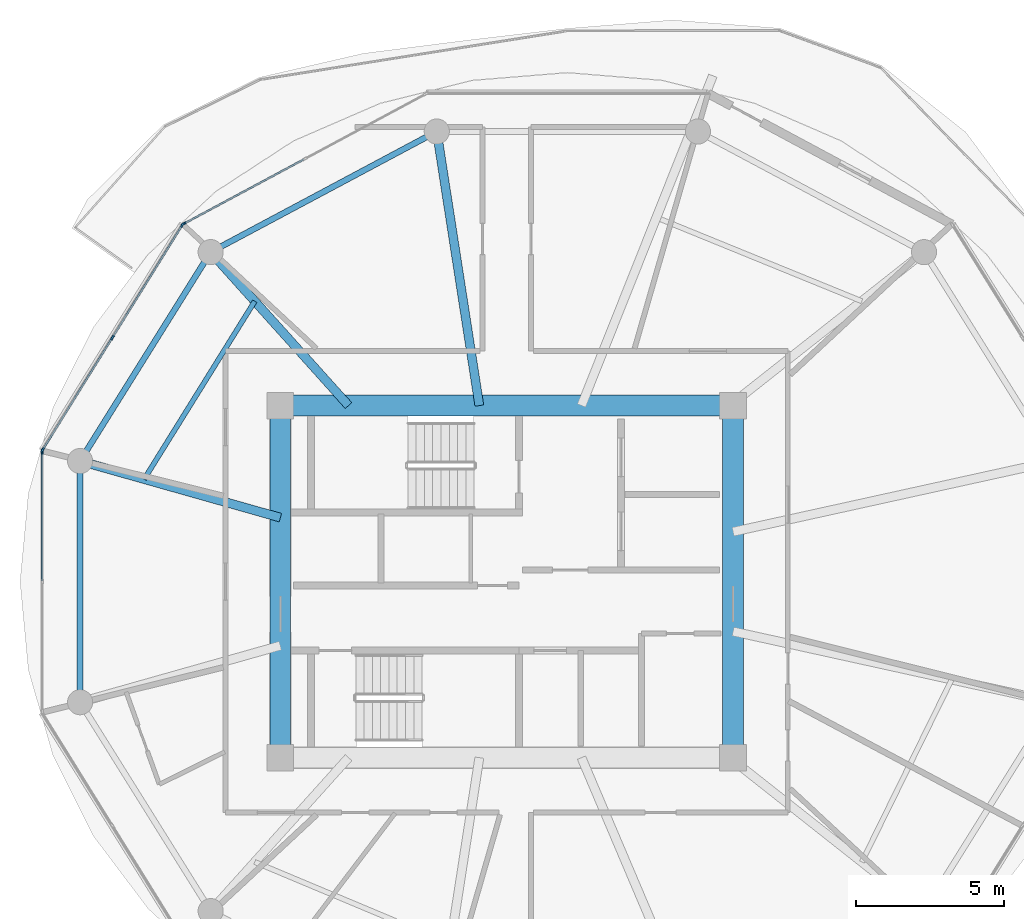
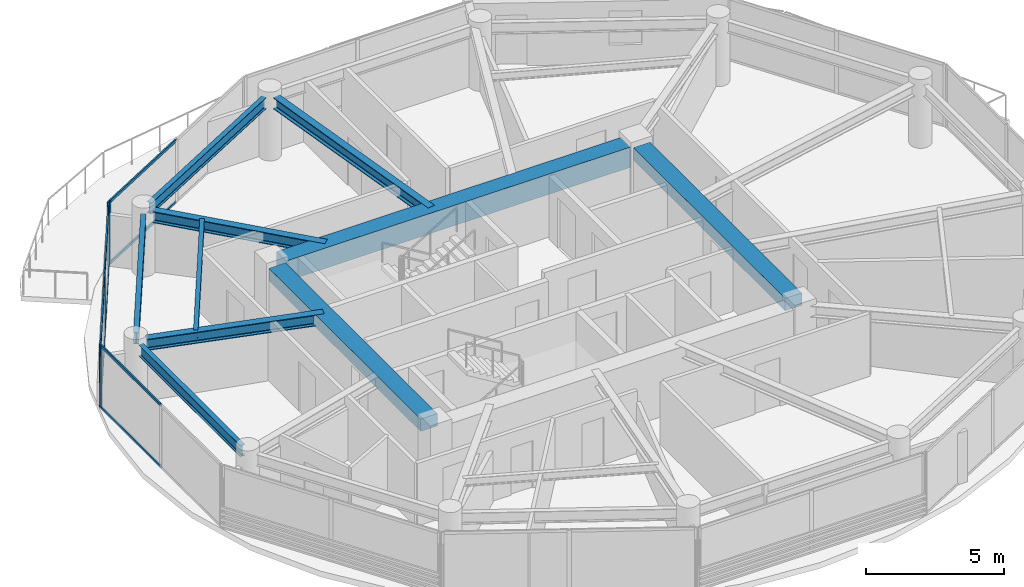
# One storey, part 4 of 23: 13 members, 10 beams, 3 elements without a shape of their own.
"""IFC4 building model written with IfcOpenShell, lengths in metres."""

from ifc_helpers import new_model, si_unit, direction, frame, origin, origin_2d, place, context, subcontext, project, spatial, rectangle, i_section, extrude, source, transform, mapped, material, layer, layer_set, material_profile, profile_set, type_object, type_shapes, element, aggregate, save


model = new_model("IFC4")

# Units and contexts
model_context = context("Model", 3, precision=1e-05, world=origin(), true_north=direction((0.0, 1.0)))
body_context = subcontext(model_context, "Body", "Model", "MODEL_VIEW")
ifc_project = project(units=[si_unit("LENGTHUNIT", "METRE"), si_unit("AREAUNIT", "SQUARE_METRE"), si_unit("VOLUMEUNIT", "CUBIC_METRE"), si_unit("PLANEANGLEUNIT", "RADIAN"), si_unit("MASSUNIT", "GRAM", prefix="KILO")], contexts=[model_context])

# Site, building, storey
site_placement = place(None, origin())
site = spatial("IfcSite", under=ifc_project, at=site_placement, CompositionType="ELEMENT")
building_placement = place(site_placement, origin())
building = spatial("IfcBuilding", under=site, at=building_placement, Name="Norrkilde Senior Care Towers", CompositionType="ELEMENT")
storey_placement = place(building_placement, frame((0.0, 0.0, 81.0)))
storey = spatial("IfcBuildingStorey", under=building, at=storey_placement, Name="L24", CompositionType="ELEMENT", Elevation=81.0)

# Beams
ifc_material_1 = material(Name="Concrete C60/75", Category="concrete")
ifc_material_profile_1 = material_profile(ifc_material_1, rectangle(XDim=0.699951171875, YDim=0.89990234375, at=origin_2d()), Name="RC BM 700x900")
ifc_profile_set_1 = profile_set([ifc_material_profile_1], Name="Concrete C60/75")
beam_type_1 = type_object("IfcBeamType", Name="Core Coupling Girder 700x900", PredefinedType="USERDEFINED", material=ifc_profile_set_1)
shared_shape_1 = source(origin(), body_context, "Body", "SweptSolid", [
    extrude(rectangle(XDim=0.699951171875, YDim=0.89990234375, at=origin_2d()), origin(), (0.0, 0.0, 1.0), 14.43994140625),
])
type_shapes(beam_type_1, [shared_shape_1])
beam_1_placement = place(storey_placement, frame((-35.219970703125, 5.949951171875, 2.340087890625), z_axis=(1.0, 0.0, 0.0), x_axis=(0.0, 1.0, 0.0)))
element("IfcBeam", 1, at=beam_1_placement, inside=storey, type_object=beam_type_1, Name="L24 Core W N Coupling Girder", ObjectType="GIRDER", PredefinedType="USERDEFINED", context=body_context, shape_type="MappedRepresentation", body=[
    mapped(shared_shape_1, transform((0.0, 0.0, 0.0), x_axis=(1.0, 0.0, 0.0), y_axis=(0.0, 1.0, 0.0), z_axis=(0.0, 0.0, 1.0), scale=1.0)),
])
ifc_material_profile_2 = material_profile(ifc_material_1, rectangle(XDim=0.699951171875, YDim=0.550048828125, at=origin_2d()), Name="RC BM 700x550")
ifc_profile_set_2 = profile_set([ifc_material_profile_2], Name="Concrete C60/75")
beam_type_2 = type_object("IfcBeamType", Name="Core Portal Coupling Beam 700x550", PredefinedType="USERDEFINED", material=ifc_profile_set_2)
shared_shape_2 = source(origin(), body_context, "Body", "SweptSolid", [
    extrude(rectangle(XDim=0.699951171875, YDim=0.550048828125, at=origin_2d()), origin(), (0.0, 0.0, 1.0), 11.0400390625),
])
type_shapes(beam_type_2, [shared_shape_2])
for number, where, z_axis, x_axis, name in (
    (2, (-35.64990234375, -5.52001953125, 2.514892578125), (0.0, 1.0, 0.0), (-1.0, 0.0, 0.0), "L24 Core W W Coupling Girder"),
    (3, (-20.35009765625, -5.52001953125, 2.514892578125), (0.0, 1.0, 0.0), (-1.0, 0.0, 0.0), "L24 Core W E Coupling Girder"),
):
    element("IfcBeam", number, at=place(storey_placement, frame(where, z_axis=z_axis, x_axis=x_axis)), inside=storey, type_object=beam_type_2, Name=name, ObjectType="GIRDER", PredefinedType="USERDEFINED", context=body_context, shape_type="MappedRepresentation", body=[
        mapped(shared_shape_2, transform((0.0, 0.0, 0.0), x_axis=(1.0, 0.0, 0.0), y_axis=(0.0, 1.0, 0.0), z_axis=(0.0, 0.0, 1.0), scale=1.0)),
    ])
ifc_material_2 = material(Name="Steel S355", Category="steel")
ifc_material_profile_3 = material_profile(ifc_material_2, i_section(OverallWidth=0.199951171875, OverallDepth=0.5, WebThickness=0.01025390625, FlangeThickness=0.01611328125, FilletRadius=0.02099609375, at=origin_2d()), Name="IPE 500")
ifc_profile_set_3 = profile_set([ifc_material_profile_3], Name="Steel S355")
beam_type_3 = type_object("IfcBeamType", Name="Perimeter Ring Spandrel Z2 IPE500", PredefinedType="SPANDREL", material=ifc_profile_set_3)
shared_shape_3 = source(origin(), body_context, "Body", "SweptSolid", [
    extrude(i_section(OverallWidth=0.199951171875, OverallDepth=0.5, WebThickness=0.01025390625, FlangeThickness=0.01611328125, FilletRadius=0.02099609375, at=origin_2d()), origin(), (0.0, 0.0, 1.0), 7.892333984375),
])
beam_2_placement = place(storey_placement, frame((-30.70263671875, 15.0322265625, 2.5400390625), z_axis=(-0.882350372282, -0.47059305194, 0.0), x_axis=(0.47059305194, -0.882350372282, 0.0)))
element("IfcBeam", 4, at=beam_2_placement, inside=storey, type_object=beam_type_3, Name="L24 Drum W Perimeter Spandrel 04", PredefinedType="SPANDREL", context=body_context, shape_type="MappedRepresentation", body=[
    mapped(shared_shape_3, transform((0.0, 0.0, 0.0), x_axis=(1.0, 0.0, 0.0), y_axis=(0.0, 1.0, 0.0), z_axis=(0.0, 0.0, 1.0), scale=1.0)),
])
ifc_material_profile_4 = material_profile(ifc_material_2, i_section(OverallWidth=0.300048828125, OverallDepth=0.5, WebThickness=0.014404296875, FlangeThickness=0.028076171875, FilletRadius=0.027099609375, at=origin_2d()), Name="HEB 500")
ifc_profile_set_4 = profile_set([ifc_material_profile_4], Name="Steel S355")
beam_type_4 = type_object("IfcBeamType", Name="Radial Floor Beam Z2 HEB500", PredefinedType="BEAM", material=ifc_profile_set_4)
shared_shape_4 = source(origin(), body_context, "Body", "SweptSolid", [
    extrude(i_section(OverallWidth=0.300048828125, OverallDepth=0.5, WebThickness=0.014404296875, FlangeThickness=0.028076171875, FilletRadius=0.027099609375, at=origin_2d()), origin(), (0.0, 0.0, 1.0), 8.989501953125),
])
beam_3_placement = place(storey_placement, frame((-28.924072265625, 5.949951171875, 2.5400390625), z_axis=(-0.153471298636, 0.988153105796, 0.0), x_axis=(-0.988153105796, -0.153471298636, 0.0)))
element("IfcBeam", 5, at=beam_3_placement, inside=storey, type_object=beam_type_4, Name="L24 Drum W Radial Floor Beam 04", PredefinedType="BEAM", context=body_context, shape_type="MappedRepresentation", body=[
    mapped(shared_shape_4, transform((0.0, 0.0, 0.0), x_axis=(1.0, 0.0, 0.0), y_axis=(0.0, 1.0, 0.0), z_axis=(0.0, 0.0, 1.0), scale=1.0)),
])
shared_shape_5 = source(origin(), body_context, "Body", "SweptSolid", [
    extrude(i_section(OverallWidth=0.199951171875, OverallDepth=0.5, WebThickness=0.01025390625, FlangeThickness=0.01611328125, FilletRadius=0.02099609375, at=origin_2d()), origin(), (0.0, 0.0, 1.0), 7.556396484375),
])
beam_4_placement = place(storey_placement, frame((-38.210205078125, 10.810546875, 2.5400390625), z_axis=(-0.530004748437, -0.847994673706, 0.0), x_axis=(0.847994673706, -0.530004748437, 0.0)))
element("IfcBeam", 6, at=beam_4_placement, inside=storey, type_object=beam_type_3, Name="L24 Drum W Perimeter Spandrel 05", PredefinedType="SPANDREL", context=body_context, shape_type="MappedRepresentation", body=[
    mapped(shared_shape_5, transform((0.0, 0.0, 0.0), x_axis=(1.0, 0.0, 0.0), y_axis=(0.0, 1.0, 0.0), z_axis=(0.0, 0.0, 1.0), scale=1.0)),
])
shared_shape_6 = source(origin(), body_context, "Body", "SweptSolid", [
    extrude(i_section(OverallWidth=0.300048828125, OverallDepth=0.5, WebThickness=0.014404296875, FlangeThickness=0.028076171875, FilletRadius=0.027099609375, at=origin_2d()), origin(), (0.0, 0.0, 1.0), 6.587890625),
])
beam_5_placement = place(storey_placement, frame((-33.345947265625, 5.949951171875, 2.5400390625), z_axis=(-0.668315438605, 0.743877997068, 0.0), x_axis=(-0.743877997068, -0.668315438605, 0.0)))
element("IfcBeam", 7, at=beam_5_placement, inside=storey, type_object=beam_type_4, Name="L24 Drum W Radial Floor Beam 05", PredefinedType="BEAM", context=body_context, shape_type="MappedRepresentation", body=[
    mapped(shared_shape_6, transform((0.0, 0.0, 0.0), x_axis=(1.0, 0.0, 0.0), y_axis=(0.0, 1.0, 0.0), z_axis=(0.0, 0.0, 1.0), scale=1.0)),
])
shared_shape_7 = source(origin(), body_context, "Body", "SweptSolid", [
    extrude(i_section(OverallWidth=0.199951171875, OverallDepth=0.5, WebThickness=0.01025390625, FlangeThickness=0.01611328125, FilletRadius=0.02099609375, at=origin_2d()), origin(), (0.0, 0.0, 1.0), 7.3828125),
])
type_shapes(beam_type_3, [shared_shape_3, shared_shape_5, shared_shape_7])
beam_6_placement = place(storey_placement, frame((-42.4189453125, 3.69140625, 2.5400390625), z_axis=(0.0, -1.0, 0.0), x_axis=(1.0, 0.0, 0.0)))
element("IfcBeam", 8, at=beam_6_placement, inside=storey, type_object=beam_type_3, Name="L24 Drum W Perimeter Spandrel 06", PredefinedType="SPANDREL", context=body_context, shape_type="MappedRepresentation", body=[
    mapped(shared_shape_7, transform((0.0, 0.0, 0.0), x_axis=(1.0, 0.0, 0.0), y_axis=(0.0, 1.0, 0.0), z_axis=(0.0, 0.0, 1.0), scale=1.0)),
])
shared_shape_8 = source(origin(), body_context, "Body", "SweptSolid", [
    extrude(i_section(OverallWidth=0.300048828125, OverallDepth=0.5, WebThickness=0.014404296875, FlangeThickness=0.028076171875, FilletRadius=0.027099609375, at=origin_2d()), origin(), (0.0, 0.0, 1.0), 6.6494140625),
])
type_shapes(beam_type_4, [shared_shape_4, shared_shape_6, shared_shape_8])
beam_7_placement = place(storey_placement, frame((-35.64990234375, 2.162841796875, 2.5400390625), z_axis=(-0.962289138357, 0.27202870106, 0.0), x_axis=(-0.27202870106, -0.962289138357, 0.0)))
element("IfcBeam", 9, at=beam_7_placement, inside=storey, type_object=beam_type_4, Name="L24 Drum W Radial Floor Beam 06", PredefinedType="BEAM", context=body_context, shape_type="MappedRepresentation", body=[
    mapped(shared_shape_8, transform((0.0, 0.0, 0.0), x_axis=(1.0, 0.0, 0.0), y_axis=(0.0, 1.0, 0.0), z_axis=(0.0, 0.0, 1.0), scale=1.0)),
])
ifc_material_profile_5 = material_profile(ifc_material_2, i_section(OverallWidth=0.169921875, OverallDepth=0.360107421875, WebThickness=0.008056640625, FlangeThickness=0.0126953125, FilletRadius=0.01806640625, at=origin_2d()), Name="IPE 360")
ifc_profile_set_5 = profile_set([ifc_material_profile_5], Name="Steel S355")
beam_type_5 = type_object("IfcBeamType", Name="Secondary Floor Joist IPE360", PredefinedType="JOIST", material=ifc_profile_set_5)
shared_shape_9 = source(origin(), body_context, "Body", "SweptSolid", [
    extrude(i_section(OverallWidth=0.169921875, OverallDepth=0.360107421875, WebThickness=0.008056640625, FlangeThickness=0.0126953125, FilletRadius=0.01806640625, at=origin_2d()), origin(), (0.0, 0.0, 1.0), 7.080078125),
])
type_shapes(beam_type_5, [shared_shape_9])
beam_8_placement = place(storey_placement, frame((-36.514892578125, 9.47705078125, 2.610107421875), z_axis=(-0.527961009189, -0.849268610497, 0.0), x_axis=(0.849268610497, -0.527961009189, 0.0)))
element("IfcBeam", 10, at=beam_8_placement, inside=storey, type_object=beam_type_5, Name="L24 Drum W Secondary Floor Joist 2", PredefinedType="JOIST", context=body_context, shape_type="MappedRepresentation", body=[
    mapped(shared_shape_9, transform((0.0, 0.0, 0.0), x_axis=(1.0, 0.0, 0.0), y_axis=(0.0, 1.0, 0.0), z_axis=(0.0, 0.0, 1.0), scale=1.0)),
])

# Curtain wall, member
ifc_material_3 = material(Name="Triple Low-E Insulated Glazing", Category="glass")
ifc_layer = layer(ifc_material_3, 0.195068359375)
ifc_layer_set = layer_set([ifc_layer], Name="Triple Low-E Insulated Glazing")
curtain_wall_type = type_object("IfcCurtainWallType", Name="CW3 Zone 2 Assisted Living Curtain Wall", PredefinedType="NOTDEFINED", material=ifc_layer_set)
curtain_wall_1_placement = place(storey_placement, origin())
curtain_wall_1 = element("IfcCurtainWall", 11, at=curtain_wall_1_placement, inside=storey, type_object=curtain_wall_type, Name="L24 Drum W Curtain Wall 03", PredefinedType="NOTDEFINED")
ifc_material_4 = material(Name="Anodised Aluminium", Category="aluminium")
ifc_material_profile_6 = material_profile(ifc_material_4, rectangle(XDim=0.06494140625, YDim=0.159912109375, at=origin_2d()), Name="ALU MULL 65x160")
ifc_profile_set_6 = profile_set([ifc_material_profile_6], Name="Anodised Aluminium")
member_type_1 = type_object("IfcMemberType", Name="Curtain Wall Mullion Z1-Z2 65x160", PredefinedType="MULLION", material=ifc_profile_set_6)
shared_shape_10 = source(origin(), body_context, "Body", "SweptSolid", [
    extrude(rectangle(XDim=0.06494140625, YDim=0.159912109375, at=origin_2d()), origin(), (0.0, 0.0, 1.0), 2.7900390625),
])
type_shapes(member_type_1, [shared_shape_10])
member_1_placement = place(storey_placement, frame((-38.91796875, 12.0927734375, 0.0), z_axis=(0.0, 0.0, 1.0), x_axis=(-0.472769402511, 0.881186184668, 0.0)))
member_1 = element("IfcMember", 12, at=member_1_placement, type_object=member_type_1, Name="CW-3 mullion 1", PredefinedType="MULLION", context=body_context, shape_type="MappedRepresentation", body=[
    mapped(shared_shape_10, transform((0.0, 0.0, 0.0), x_axis=(1.0, 0.0, 0.0), y_axis=(0.0, 1.0, 0.0), z_axis=(0.0, 0.0, 1.0), scale=1.0)),
])

# Curtain wall, members
curtain_wall_2_placement = place(storey_placement, origin())
curtain_wall_2 = element("IfcCurtainWall", 13, at=curtain_wall_2_placement, inside=storey, type_object=curtain_wall_type, Name="L24 Drum W Curtain Wall 04", PredefinedType="NOTDEFINED")
member_2_placement = place(storey_placement, frame((-43.6865234375, 4.4482421875, 0.0), z_axis=(0.0, 0.0, 1.0), x_axis=(-0.849410171862, 0.527733228002, 0.0)))
member_2 = element("IfcMember", 14, at=member_2_placement, type_object=member_type_1, Name="CW-3 mullion 1", PredefinedType="MULLION", context=body_context, shape_type="MappedRepresentation", body=[
    mapped(shared_shape_10, transform((0.0, 0.0, 0.0), x_axis=(1.0, 0.0, 0.0), y_axis=(0.0, 1.0, 0.0), z_axis=(0.0, 0.0, 1.0), scale=1.0)),
])
member_3_placement = place(storey_placement, frame((-41.3251953125, 8.2490234375, 0.0), z_axis=(0.0, 0.0, 1.0), x_axis=(-0.849410171862, 0.527733228002, 0.0)))
member_3 = element("IfcMember", 15, at=member_3_placement, type_object=member_type_1, Name="CW-3 mullion 2", PredefinedType="MULLION", context=body_context, shape_type="MappedRepresentation", body=[
    mapped(shared_shape_10, transform((0.0, 0.0, 0.0), x_axis=(1.0, 0.0, 0.0), y_axis=(0.0, 1.0, 0.0), z_axis=(0.0, 0.0, 1.0), scale=1.0)),
])
member_4_placement = place(storey_placement, frame((-38.9638671875, 12.0498046875, 0.0), z_axis=(0.0, 0.0, 1.0), x_axis=(-0.849410171862, 0.527733228002, 0.0)))
member_4 = element("IfcMember", 16, at=member_4_placement, type_object=member_type_1, Name="CW-3 mullion 3", PredefinedType="MULLION", context=body_context, shape_type="MappedRepresentation", body=[
    mapped(shared_shape_10, transform((0.0, 0.0, 0.0), x_axis=(1.0, 0.0, 0.0), y_axis=(0.0, 1.0, 0.0), z_axis=(0.0, 0.0, 1.0), scale=1.0)),
])

# Curtain wall, member
curtain_wall_3_placement = place(storey_placement, origin())
curtain_wall_3 = element("IfcCurtainWall", 17, at=curtain_wall_3_placement, inside=storey, type_object=curtain_wall_type, Name="L24 Drum W Curtain Wall 05", PredefinedType="NOTDEFINED")
member_5_placement = place(storey_placement, frame((-43.70361328125, 4.38818359375, 0.0), z_axis=(0.0, 0.0, 1.0), x_axis=(-1.0, 0.0, 0.0)))
member_5 = element("IfcMember", 18, at=member_5_placement, type_object=member_type_1, Name="CW-3 mullion 3", PredefinedType="MULLION", context=body_context, shape_type="MappedRepresentation", body=[
    mapped(shared_shape_10, transform((0.0, 0.0, 0.0), x_axis=(1.0, 0.0, 0.0), y_axis=(0.0, 1.0, 0.0), z_axis=(0.0, 0.0, 1.0), scale=1.0)),
])

# Member
ifc_material_profile_7 = material_profile(ifc_material_4, rectangle(XDim=0.06005859375, YDim=0.1201171875, at=origin_2d()), Name="ALU TRAN 60x120")
ifc_profile_set_7 = profile_set([ifc_material_profile_7], Name="Anodised Aluminium")
member_type_2 = type_object("IfcMemberType", Name="Curtain Wall Transom Typical 60x120", PredefinedType="USERDEFINED", material=ifc_profile_set_7)
shared_shape_11 = source(origin(), body_context, "Body", "SweptSolid", [
    extrude(rectangle(XDim=0.06005859375, YDim=0.1201171875, at=origin_2d()), origin(), (0.0, 0.0, 1.0), 4.40966796875),
])
member_6_placement = place(storey_placement, frame((-43.66943359375, 4.475830078125, 0.030029296875), z_axis=(0.527737675578, 0.849407408594, 0.0), x_axis=(-0.849407408594, 0.527737675578, 0.0)))
member_6 = element("IfcMember", 19, at=member_6_placement, type_object=member_type_2, Name="CW-3 transom 1.1", ObjectType="TRANSOM", PredefinedType="USERDEFINED", context=body_context, shape_type="MappedRepresentation", body=[
    mapped(shared_shape_11, transform((0.0, 0.0, 0.0), x_axis=(1.0, 0.0, 0.0), y_axis=(0.0, 1.0, 0.0), z_axis=(0.0, 0.0, 1.0), scale=1.0)),
])

member_7_placement = place(storey_placement, frame((-43.66943359375, 4.475830078125, 2.760009765625), z_axis=(0.527737675578, 0.849407408594, 0.0), x_axis=(-0.849407408594, 0.527737675578, 0.0)))
member_7 = element("IfcMember", 20, at=member_7_placement, type_object=member_type_2, Name="CW-3 transom 1.2", ObjectType="TRANSOM", PredefinedType="USERDEFINED", context=body_context, shape_type="MappedRepresentation", body=[
    mapped(shared_shape_11, transform((0.0, 0.0, 0.0), x_axis=(1.0, 0.0, 0.0), y_axis=(0.0, 1.0, 0.0), z_axis=(0.0, 0.0, 1.0), scale=1.0)),
])

member_8_placement = place(storey_placement, frame((-41.30810546875, 8.276611328125, 0.030029296875), z_axis=(0.527737675578, 0.849407408594, 0.0), x_axis=(-0.849407408594, 0.527737675578, 0.0)))
member_8 = element("IfcMember", 21, at=member_8_placement, type_object=member_type_2, Name="CW-3 transom 2.1", ObjectType="TRANSOM", PredefinedType="USERDEFINED", context=body_context, shape_type="MappedRepresentation", body=[
    mapped(shared_shape_11, transform((0.0, 0.0, 0.0), x_axis=(1.0, 0.0, 0.0), y_axis=(0.0, 1.0, 0.0), z_axis=(0.0, 0.0, 1.0), scale=1.0)),
])

member_9_placement = place(storey_placement, frame((-41.30810546875, 8.276611328125, 2.760009765625), z_axis=(0.527737675578, 0.849407408594, 0.0), x_axis=(-0.849407408594, 0.527737675578, 0.0)))
member_9 = element("IfcMember", 22, at=member_9_placement, type_object=member_type_2, Name="CW-3 transom 2.2", ObjectType="TRANSOM", PredefinedType="USERDEFINED", context=body_context, shape_type="MappedRepresentation", body=[
    mapped(shared_shape_11, transform((0.0, 0.0, 0.0), x_axis=(1.0, 0.0, 0.0), y_axis=(0.0, 1.0, 0.0), z_axis=(0.0, 0.0, 1.0), scale=1.0)),
])

aggregate(curtain_wall_2, [member_2, member_3, member_4, member_6, member_7, member_8, member_9])

shared_shape_12 = source(origin(), body_context, "Body", "SweptSolid", [
    extrude(rectangle(XDim=0.06005859375, YDim=0.1201171875, at=origin_2d()), origin(), (0.0, 0.0, 1.0), 4.57763671875),
])
member_10_placement = place(storey_placement, frame((-38.889404296875, 12.108154296875, 0.030029296875), z_axis=(0.881204703403, 0.472734884159, 0.0), x_axis=(-0.472734884159, 0.881204703403, 0.0)))
member_10 = element("IfcMember", 23, at=member_10_placement, type_object=member_type_2, Name="CW-3 transom 1.1", ObjectType="TRANSOM", PredefinedType="USERDEFINED", context=body_context, shape_type="MappedRepresentation", body=[
    mapped(shared_shape_12, transform((0.0, 0.0, 0.0), x_axis=(1.0, 0.0, 0.0), y_axis=(0.0, 1.0, 0.0), z_axis=(0.0, 0.0, 1.0), scale=1.0)),
])

member_11_placement = place(storey_placement, frame((-38.889404296875, 12.108154296875, 2.760009765625), z_axis=(0.881204703403, 0.472734884159, 0.0), x_axis=(-0.472734884159, 0.881204703403, 0.0)))
member_11 = element("IfcMember", 24, at=member_11_placement, type_object=member_type_2, Name="CW-3 transom 1.2", ObjectType="TRANSOM", PredefinedType="USERDEFINED", context=body_context, shape_type="MappedRepresentation", body=[
    mapped(shared_shape_12, transform((0.0, 0.0, 0.0), x_axis=(1.0, 0.0, 0.0), y_axis=(0.0, 1.0, 0.0), z_axis=(0.0, 0.0, 1.0), scale=1.0)),
])

aggregate(curtain_wall_1, [member_1, member_10, member_11])

shared_shape_13 = source(origin(), body_context, "Body", "SweptSolid", [
    extrude(rectangle(XDim=0.06005859375, YDim=0.1201171875, at=origin_2d()), origin(), (0.0, 0.0, 1.0), 4.3232421875),
])
type_shapes(member_type_2, [shared_shape_11, shared_shape_12, shared_shape_13])
member_12_placement = place(storey_placement, frame((-43.70361328125, 0.032470703125, 0.030029296875), z_axis=(0.0, 1.0, 0.0), x_axis=(-1.0, 0.0, 0.0)))
member_12 = element("IfcMember", 25, at=member_12_placement, type_object=member_type_2, Name="CW-3 transom 2.1", ObjectType="TRANSOM", PredefinedType="USERDEFINED", context=body_context, shape_type="MappedRepresentation", body=[
    mapped(shared_shape_13, transform((0.0, 0.0, 0.0), x_axis=(1.0, 0.0, 0.0), y_axis=(0.0, 1.0, 0.0), z_axis=(0.0, 0.0, 1.0), scale=1.0)),
])

member_13_placement = place(storey_placement, frame((-43.70361328125, 0.032470703125, 2.760009765625), z_axis=(0.0, 1.0, 0.0), x_axis=(-1.0, 0.0, 0.0)))
member_13 = element("IfcMember", 26, at=member_13_placement, type_object=member_type_2, Name="CW-3 transom 2.2", ObjectType="TRANSOM", PredefinedType="USERDEFINED", context=body_context, shape_type="MappedRepresentation", body=[
    mapped(shared_shape_13, transform((0.0, 0.0, 0.0), x_axis=(1.0, 0.0, 0.0), y_axis=(0.0, 1.0, 0.0), z_axis=(0.0, 0.0, 1.0), scale=1.0)),
])

aggregate(curtain_wall_3, [member_5, member_12, member_13])

save(model, "model.ifc")
